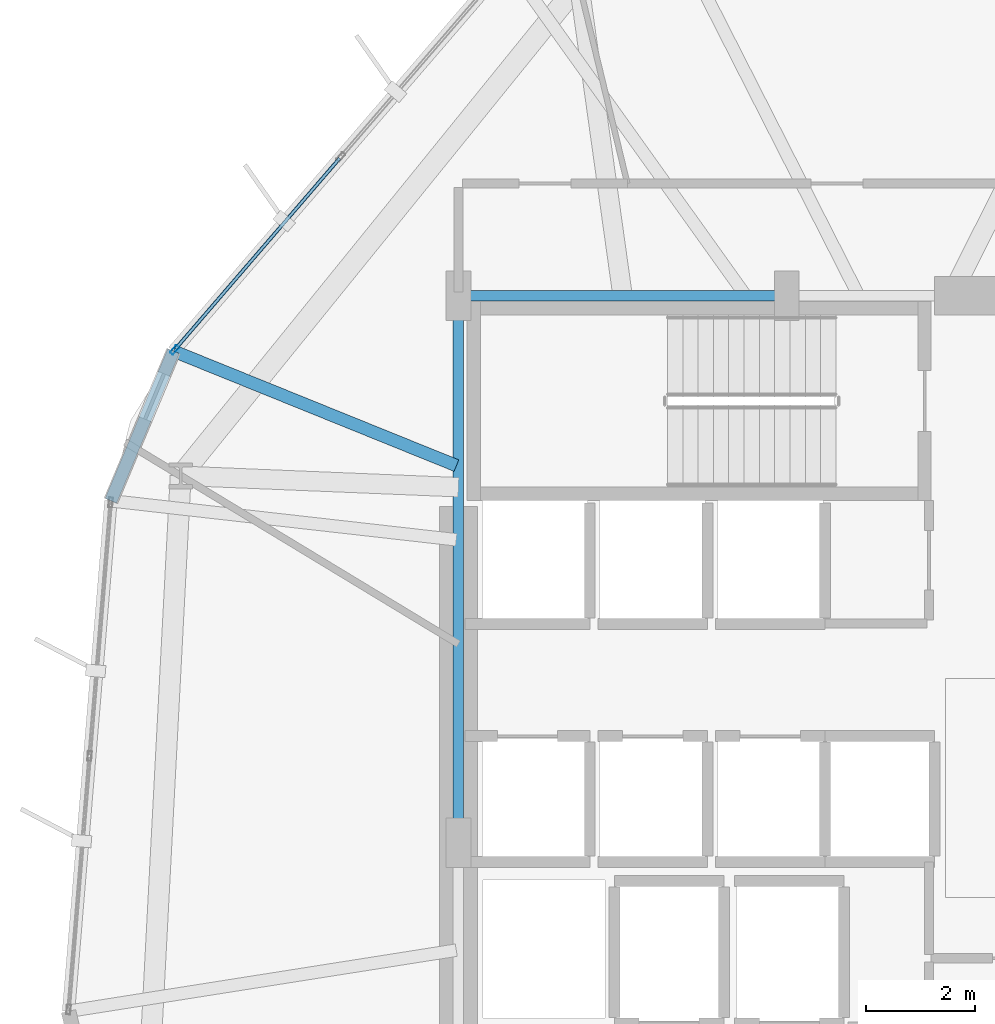
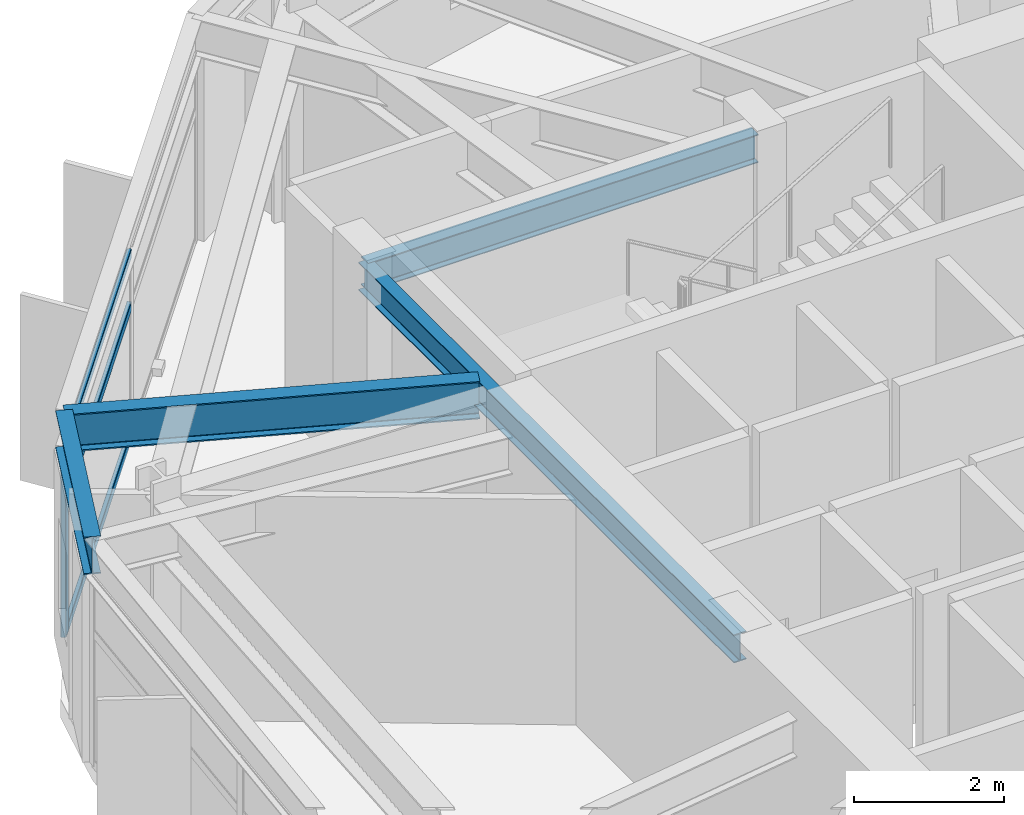
# One storey, part 7 of 21: 4 beams, 4 members, 1 element without a shape of its own.
"""IFC4 building model written with IfcOpenShell, lengths in metres."""

import ifcopenshell
import ifcopenshell.guid

model = None  # the IFC model being written
_history = None  # IfcOwnerHistory: only IFC2X3 demands one
_inside = {}  # id of a spatial element -> (the spatial element, [elements in it])
_under = {}  # id of a project, library or spatial element -> (it, [spatial elements below it])
_declared = {}  # id of a project -> (the project, [libraries it declares])
_typed = {}  # id of a type object -> (the type object, [elements of that type])
_made_of = {}  # id of a material, layer set ... -> (it, [elements and type objects made of it])


def new_model(schema):
    """Start an empty IFC model of exactly this schema.

    Asked for "IFC4X3", IfcOpenShell would pick the latest addendum, in which some entities
    have other attributes; the version numbers below select the first issue.
    IFC2X3 requires an IfcOwnerHistory on every rooted entity: one is made here for all.
    """
    global model, _history
    if schema == "IFC4X3":
        model = ifcopenshell.file(schema_version=(4, 3, 0, 0))
    else:
        model = ifcopenshell.file(schema=schema)
    _inside.clear()
    _under.clear()
    _declared.clear()
    _typed.clear()
    _made_of.clear()
    _history = None
    if model.schema == "IFC2X3":
        org = make("IfcOrganization", Name="unknown")
        user = make(
            "IfcPersonAndOrganization",
            ThePerson=make("IfcPerson", FamilyName="unknown"),
            TheOrganization=org,
        )
        app = make(
            "IfcApplication",
            ApplicationDeveloper=org,
            Version="unknown",
            ApplicationFullName="unknown",
            ApplicationIdentifier="unknown",
        )
        _history = make(
            "IfcOwnerHistory",
            OwningUser=user,
            OwningApplication=app,
            ChangeAction="ADDED",
            CreationDate=0,
        )
    return model


def make(cls, **values):
    """One entity of the class cls with the attributes given. An attribute that is None is left unset."""
    return model.create_entity(
        cls, **{name: value for name, value in values.items() if value is not None}
    )


def rooted(cls, **values):
    """An entity with a GlobalId (a new one), such as an element, a storey or a relation."""
    return make(cls, GlobalId=ifcopenshell.guid.new(), OwnerHistory=_history, **values)


def si_unit(unit_type, name, prefix=None):
    """IfcSIUnit, for example si_unit("LENGTHUNIT", "METRE", prefix="MILLI")."""
    return make("IfcSIUnit", UnitType=unit_type, Prefix=prefix, Name=name)


def assignment(units):
    """IfcUnitAssignment: the units of a project."""
    return None if units is None else make("IfcUnitAssignment", Units=units)


def point(xyz):
    """IfcCartesianPoint."""
    return None if xyz is None else make("IfcCartesianPoint", Coordinates=xyz)


def direction(xyz):
    """IfcDirection."""
    return None if xyz is None else make("IfcDirection", DirectionRatios=xyz)


def frame(location, z_axis=None, x_axis=None):
    """IfcAxis2Placement3D, a coordinate frame: its origin and axes. An axis left out is left unset."""
    return make(
        "IfcAxis2Placement3D",
        Location=point(location),
        Axis=direction(z_axis),
        RefDirection=direction(x_axis),
    )


def frame_2d(location, x_axis=None):
    """IfcAxis2Placement2D, a coordinate frame in the plane: its origin and x axis."""
    return make(
        "IfcAxis2Placement2D", Location=point(location), RefDirection=direction(x_axis)
    )


def origin():
    """The frame at (0, 0, 0) with its axes left unset."""
    return frame((0.0, 0.0, 0.0))


def origin_2d():
    """The frame at (0, 0) in the plane with its x axis left unset."""
    return frame_2d((0.0, 0.0))


def place(relative_to, where):
    """IfcLocalPlacement: puts the frame where relative to a parent placement (None: the world)."""
    return make(
        "IfcLocalPlacement", PlacementRelTo=relative_to, RelativePlacement=where
    )


def context(
    kind, dimensions, precision=None, world=None, true_north=None, identifier=None
):
    """IfcGeometricRepresentationContext, for example the 3D "Model" context."""
    return make(
        "IfcGeometricRepresentationContext",
        ContextIdentifier=identifier,
        ContextType=kind,
        CoordinateSpaceDimension=dimensions,
        Precision=precision,
        WorldCoordinateSystem=world,
        TrueNorth=true_north,
    )


def subcontext(parent, identifier, kind, view, scale=None):
    """IfcGeometricRepresentationSubContext, for example "Body" below "Model"."""
    return make(
        "IfcGeometricRepresentationSubContext",
        ContextIdentifier=identifier,
        ContextType=kind,
        ParentContext=parent,
        TargetScale=scale,
        TargetView=view,
    )


def project(units=None, contexts=None):
    """IfcProject with its units and contexts."""
    return rooted(
        "IfcProject",
        Name="project",
        RepresentationContexts=contexts,
        UnitsInContext=assignment(units),
    )


def spatial(cls, under=None, at=None, **own):
    """A site, building, storey or space (cls), placed at a placement, below another one or the project."""
    s = rooted(cls, ObjectPlacement=at, **own)
    if under is not None:
        _under.setdefault(under.id(), (under, []))[1].append(s)
    return s


def profile(cls, at=None, kind="AREA", **sizes):
    """A parametric profile (cls). Its sizes go by their IFC names, for example OverallWidth=200.0."""
    return make(cls, ProfileType=kind, Position=at, **sizes)


def hollow_rectangle(**sizes):
    """IfcRectangleHollowProfileDef."""
    return profile("IfcRectangleHollowProfileDef", **sizes)


def i_section(**sizes):
    """IfcIShapeProfileDef."""
    return profile("IfcIShapeProfileDef", **sizes)


def extrude(swept, where, along, depth):
    """IfcExtrudedAreaSolid: the profile swept, set in the frame where, extruded along a direction by depth."""
    return make(
        "IfcExtrudedAreaSolid",
        SweptArea=swept,
        Position=where,
        ExtrudedDirection=direction(along),
        Depth=depth,
    )


def shape(context_of_items, identifier, shape_type, items):
    """IfcShapeRepresentation: the items that make up one representation, for example the "Body"."""
    return make(
        "IfcShapeRepresentation",
        ContextOfItems=context_of_items,
        RepresentationIdentifier=identifier,
        RepresentationType=shape_type,
        Items=items,
    )


def material(Name=None, Category=None):
    """IfcMaterial."""
    return make("IfcMaterial", Name=Name, Category=Category)


def layer(
    of_material, thickness, ventilated=None, Name=None, Category=None, Priority=None
):
    """IfcMaterialLayer: one layer of a wall or slab, of a material (None: an air gap)."""
    return make(
        "IfcMaterialLayer",
        Material=of_material,
        LayerThickness=thickness,
        IsVentilated=ventilated,
        Name=Name,
        Category=Category,
        Priority=Priority,
    )


def layer_set(layers, Name=None):
    """IfcMaterialLayerSet."""
    return make("IfcMaterialLayerSet", MaterialLayers=layers, LayerSetName=Name)


def material_profile(
    of_material, cross_section, Name=None, Category=None, Priority=None
):
    """IfcMaterialProfile: a cross section and its material."""
    return make(
        "IfcMaterialProfile",
        Name=Name,
        Material=of_material,
        Profile=cross_section,
        Priority=Priority,
        Category=Category,
    )


def profile_set(profiles, Name=None, composite=None):
    """IfcMaterialProfileSet."""
    return make(
        "IfcMaterialProfileSet",
        Name=Name,
        MaterialProfiles=profiles,
        CompositeProfile=composite,
    )


def made_of(thing, what):
    """Note that an element or type object is made of a material, layer set ...; save() writes the relation."""
    if what is not None:
        _made_of.setdefault(what.id(), (what, []))[1].append(thing)
    return thing


def type_object(cls, material=None, **own):
    """A type object (cls), such as IfcWallType, which elements share."""
    return made_of(rooted(cls, **own), material)


def element(
    cls,
    number,
    at=None,
    inside=None,
    cuts=None,
    type_object=None,
    material=None,
    context=None,
    identifier="Body",
    shape_type=None,
    held_by="IfcProductDefinitionShape",
    body=None,
    shapes=None,
    **own,
):
    """One element of the class cls, such as IfcWall. Its Tag is "e" and its number.

    at: its placement. inside: the storey or other place that contains it. cuts: it is an
    opening in that element (IfcRelVoidsElement). A single representation is given by context,
    identifier, shape_type and body (its items); several are given by shapes. held_by: the class
    of the entity that holds the representations. save() writes the other relations.
    """
    e = rooted(cls, Tag="e%d" % number, ObjectPlacement=at, **own)
    if body is not None:
        shapes = [shape(context, identifier, shape_type, body)]
    if shapes is not None:
        e.Representation = make(held_by, Representations=shapes)
    if inside is not None:
        _inside.setdefault(inside.id(), (inside, []))[1].append(e)
    if cuts is not None:
        rooted(
            "IfcRelVoidsElement", RelatingBuildingElement=cuts, RelatedOpeningElement=e
        )
    if type_object is not None:
        _typed.setdefault(type_object.id(), (type_object, []))[1].append(e)
    return made_of(e, material)


def aggregate(whole, parts):
    """IfcRelAggregates: a whole, such as a stair, and the parts it consists of."""
    return rooted("IfcRelAggregates", RelatingObject=whole, RelatedObjects=parts)


def save(model, path):
    """Write the relations noted so far, then the file.

    IfcRelAggregates (storeys below a building ...), IfcRelContainedInSpatialStructure (elements
    in a storey), IfcRelDefinesByType, IfcRelAssociatesMaterial and IfcRelDeclares: one each for
    every whole, place, type object, material and project.
    """
    for whole, parts in _under.values():
        aggregate(whole, parts)
    for where, things in _inside.values():
        rooted(
            "IfcRelContainedInSpatialStructure",
            RelatedElements=things,
            RelatingStructure=where,
        )
    for kind, things in _typed.values():
        rooted("IfcRelDefinesByType", RelatedObjects=things, RelatingType=kind)
    for what, things in _made_of.values():
        rooted("IfcRelAssociatesMaterial", RelatedObjects=things, RelatingMaterial=what)
    for by, libraries in _declared.values():
        rooted("IfcRelDeclares", RelatingContext=by, RelatedDefinitions=libraries)
    model.write(path)


model = new_model("IFC4")

# Units and contexts
model_context = context("Model", 3, precision=1e-05, world=origin(), true_north=direction((0.0, 1.0)))
body_context = subcontext(model_context, "Body", "Model", "MODEL_VIEW")
ifc_project = project(units=[si_unit("LENGTHUNIT", "METRE"), si_unit("AREAUNIT", "SQUARE_METRE"), si_unit("VOLUMEUNIT", "CUBIC_METRE"), si_unit("PLANEANGLEUNIT", "RADIAN"), si_unit("MASSUNIT", "GRAM", prefix="KILO")], contexts=[model_context])

# Site, building, storey
site_placement = place(None, origin())
site = spatial("IfcSite", under=ifc_project, at=site_placement, CompositionType="ELEMENT")
building_placement = place(site_placement, origin())
building = spatial("IfcBuilding", under=site, at=building_placement, Name="Soratama Intermodal Tower", CompositionType="ELEMENT")
storey_placement = place(building_placement, frame((0.0, 0.0, 78.60009765625)))
storey = spatial("IfcBuildingStorey", under=building, at=storey_placement, Name="L18", CompositionType="ELEMENT", Elevation=78.60009765625)

# Beams
ifc_material_1 = material(Name="Structural steel ASTM A992 Grade 50", Category="steel")
ifc_material_profile_1 = material_profile(ifc_material_1, i_section(OverallWidth=0.19091796875, OverallDepth=0.4599609375, WebThickness=0.010009765625, FlangeThickness=0.01611328125, FilletRadius=0.010986328125, at=origin_2d()), Name="W18X55")
ifc_profile_set_1 = profile_set([ifc_material_profile_1], Name="Structural steel ASTM A992 Grade 50")
beam_type_1 = type_object("IfcBeamType", Name="BM-FLR-W18X55", PredefinedType="BEAM", material=ifc_profile_set_1)
beam_1_placement = place(storey_placement, frame((38.60009765625, 35.0, 3.429931640625), z_axis=(-1.0, 0.0, 0.0), x_axis=(0.0, -1.0, 0.0)))
element("IfcBeam", 1, at=beam_1_placement, inside=storey, type_object=beam_type_1, Name="BM-L18-CRING-07", PredefinedType="BEAM", context=body_context, shape_type="SweptSolid", body=[
    extrude(i_section(OverallWidth=0.19091796875, OverallDepth=0.4599609375, WebThickness=0.010009765625, FlangeThickness=0.01611328125, FilletRadius=0.010986328125, at=origin_2d()), origin(), (0.0, 0.0, 1.0), 6.0),
])
beam_2_placement = place(storey_placement, frame((32.60009765625, 35.0, 3.429931640625), z_axis=(0.0, -1.0, 0.0), x_axis=(1.0, 0.0, 0.0)))
element("IfcBeam", 2, at=beam_2_placement, inside=storey, type_object=beam_type_1, Name="BM-L18-CRING-08", PredefinedType="BEAM", context=body_context, shape_type="SweptSolid", body=[
    extrude(i_section(OverallWidth=0.19091796875, OverallDepth=0.4599609375, WebThickness=0.010009765625, FlangeThickness=0.01611328125, FilletRadius=0.010986328125, at=origin_2d()), origin(), (0.0, 0.0, 1.0), 10.0),
])
ifc_material_2 = material(Name="Structural steel ASTM A992 Grade 50", Category="steel")
ifc_material_profile_2 = material_profile(ifc_material_2, i_section(OverallWidth=0.22900390625, OverallDepth=0.612060546875, WebThickness=0.011962890625, FlangeThickness=0.01953125, FilletRadius=0.012939453125, at=origin_2d()), Name="W24X84")
ifc_profile_set_2 = profile_set([ifc_material_profile_2], Name="Structural steel ASTM A992 Grade 50")
beam_type_2 = type_object("IfcBeamType", Name="BM-SPN-W24X84", PredefinedType="SPANDREL", material=ifc_profile_set_2)
beam_3_placement = place(storey_placement, frame((27.39306640625, 33.988037109375, 3.35400390625), z_axis=(-0.386327000358, -0.922361886027, 0.0), x_axis=(0.922361886027, -0.386327000358, 0.0)))
element("IfcBeam", 3, at=beam_3_placement, inside=storey, type_object=beam_type_2, Name="BS-L18-CRN04", PredefinedType="SPANDREL", context=body_context, shape_type="SweptSolid", body=[
    extrude(i_section(OverallWidth=0.22900390625, OverallDepth=0.612060546875, WebThickness=0.011962890625, FlangeThickness=0.01953125, FilletRadius=0.012939453125, at=origin_2d()), origin(), (0.0, 0.0, 1.0), 2.96630859375),
])
ifc_material_3 = material(Name="Structural steel ASTM A992 Grade 50", Category="steel")
ifc_material_profile_3 = material_profile(ifc_material_3, i_section(OverallWidth=0.22900390625, OverallDepth=0.612060546875, WebThickness=0.011962890625, FlangeThickness=0.01953125, FilletRadius=0.012939453125, at=origin_2d()), Name="W24X84")
ifc_profile_set_3 = profile_set([ifc_material_profile_3], Name="Structural steel ASTM A992 Grade 50")
beam_type_3 = type_object("IfcBeamType", Name="BM-TIE-W24X84", PredefinedType="BEAM", material=ifc_profile_set_3)
beam_4_placement = place(storey_placement, frame((32.56298828125, 31.89501953125, 3.35400390625), z_axis=(-0.926919988925, 0.375259022717, 0.0), x_axis=(-0.375259022717, -0.926919988925, 0.0)))
element("IfcBeam", 4, at=beam_4_placement, inside=storey, type_object=beam_type_3, Name="BM-L18-TIE1-04", PredefinedType="BEAM", context=body_context, shape_type="SweptSolid", body=[
    extrude(i_section(OverallWidth=0.22900390625, OverallDepth=0.612060546875, WebThickness=0.011962890625, FlangeThickness=0.01953125, FilletRadius=0.012939453125, at=origin_2d()), origin(), (0.0, 0.0, 1.0), 5.57763671875),
])

# Curtain wall, members
ifc_material_4 = material(Name="Double-glazed aluminium curtain wall", Category="aluminium")
ifc_layer = layer(ifc_material_4, 0.159912109375)
ifc_layer_set = layer_set([ifc_layer], Name="Double-glazed aluminium curtain wall")
curtain_wall_type = type_object("IfcCurtainWallType", Name="CW-SYS-2", PredefinedType="NOTDEFINED", material=ifc_layer_set)
curtain_wall_placement = place(storey_placement, origin())
curtain_wall = element("IfcCurtainWall", 5, at=curtain_wall_placement, inside=storey, type_object=curtain_wall_type, Name="L18 Faceted Curtain Wall F04", PredefinedType="NOTDEFINED")
ifc_material_5 = material(Name="Anodised aluminium AA 6063-T6", Category="aluminium")
ifc_material_profile_4 = material_profile(ifc_material_5, hollow_rectangle(XDim=0.074951171875, YDim=0.179931640625, WallThickness=0.006103515625, InnerFilletRadius=0.006103515625, OuterFilletRadius=0.011962890625, at=origin_2d()), Name="CWM180X75X6")
ifc_profile_set_4 = profile_set([ifc_material_profile_4], Name="Anodised aluminium AA 6063-T6")
member_type_1 = type_object("IfcMemberType", Name="MT-CWM-2", PredefinedType="MULLION", material=ifc_profile_set_4)
member_1_placement = place(storey_placement, frame((27.4130859375, 34.010498046875, 0.0), z_axis=(0.0, 0.0, 1.0), x_axis=(0.757677681537, -0.652628938142, 0.0)))
member_1 = element("IfcMember", 6, at=member_1_placement, type_object=member_type_1, Name="CW-2 mullion 3", PredefinedType="MULLION", context=body_context, shape_type="SweptSolid", body=[
    extrude(hollow_rectangle(XDim=0.074951171875, YDim=0.179931640625, WallThickness=0.006103515625, InnerFilletRadius=0.006103515625, OuterFilletRadius=0.011962890625, at=origin_2d()), origin(), (0.0, 0.0, 1.0), 3.038818359375),
])
ifc_material_6 = material(Name="Anodised aluminium AA 6063-T6", Category="aluminium")
ifc_material_profile_5 = material_profile(ifc_material_6, hollow_rectangle(XDim=0.06494140625, YDim=0.14990234375, WallThickness=0.0048828125, InnerFilletRadius=0.0048828125, OuterFilletRadius=0.010009765625, at=origin_2d()), Name="CWT150X65X5")
ifc_profile_set_5 = profile_set([ifc_material_profile_5], Name="Anodised aluminium AA 6063-T6")
member_type_2 = type_object("IfcMemberType", Name="TT-CWT-1", PredefinedType="USERDEFINED", material=ifc_profile_set_5)
member_2_placement = place(storey_placement, frame((30.428466796875, 37.511474609375, 0.02978515625), z_axis=(-0.652607111761, -0.757696481237, 0.0), x_axis=(0.757696481237, -0.652607111761, 0.0)))
member_2 = element("IfcMember", 7, at=member_2_placement, type_object=member_type_2, Name="CW-2 transom 2.1", ObjectType="TRANSOM", PredefinedType="USERDEFINED", context=body_context, shape_type="SweptSolid", body=[
    extrude(hollow_rectangle(XDim=0.06494140625, YDim=0.14990234375, WallThickness=0.0048828125, InnerFilletRadius=0.0048828125, OuterFilletRadius=0.010009765625, at=origin_2d()), origin(), (0.0, 0.0, 1.0), 4.590576171875),
])
member_3_placement = place(storey_placement, frame((30.428466796875, 37.511474609375, 2.14990234375), z_axis=(-0.652607111761, -0.757696481237, 0.0), x_axis=(0.757696481237, -0.652607111761, 0.0)))
member_3 = element("IfcMember", 8, at=member_3_placement, type_object=member_type_2, Name="CW-2 transom 2.2", ObjectType="TRANSOM", PredefinedType="USERDEFINED", context=body_context, shape_type="SweptSolid", body=[
    extrude(hollow_rectangle(XDim=0.06494140625, YDim=0.14990234375, WallThickness=0.0048828125, InnerFilletRadius=0.0048828125, OuterFilletRadius=0.010009765625, at=origin_2d()), origin(), (0.0, 0.0, 1.0), 4.590576171875),
])
member_4_placement = place(storey_placement, frame((30.428466796875, 37.511474609375, 3.0087890625), z_axis=(-0.652607111761, -0.757696481237, 0.0), x_axis=(0.757696481237, -0.652607111761, 0.0)))
member_4 = element("IfcMember", 9, at=member_4_placement, type_object=member_type_2, Name="CW-2 transom 2.3", ObjectType="TRANSOM", PredefinedType="USERDEFINED", context=body_context, shape_type="SweptSolid", body=[
    extrude(hollow_rectangle(XDim=0.06494140625, YDim=0.14990234375, WallThickness=0.0048828125, InnerFilletRadius=0.0048828125, OuterFilletRadius=0.010009765625, at=origin_2d()), origin(), (0.0, 0.0, 1.0), 4.590576171875),
])
aggregate(curtain_wall, [member_1, member_2, member_3, member_4])

save(model, "model.ifc")
